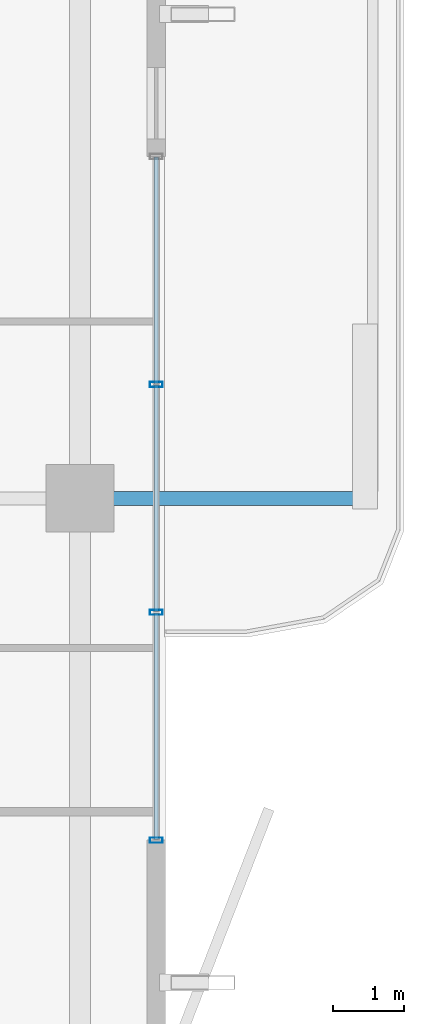
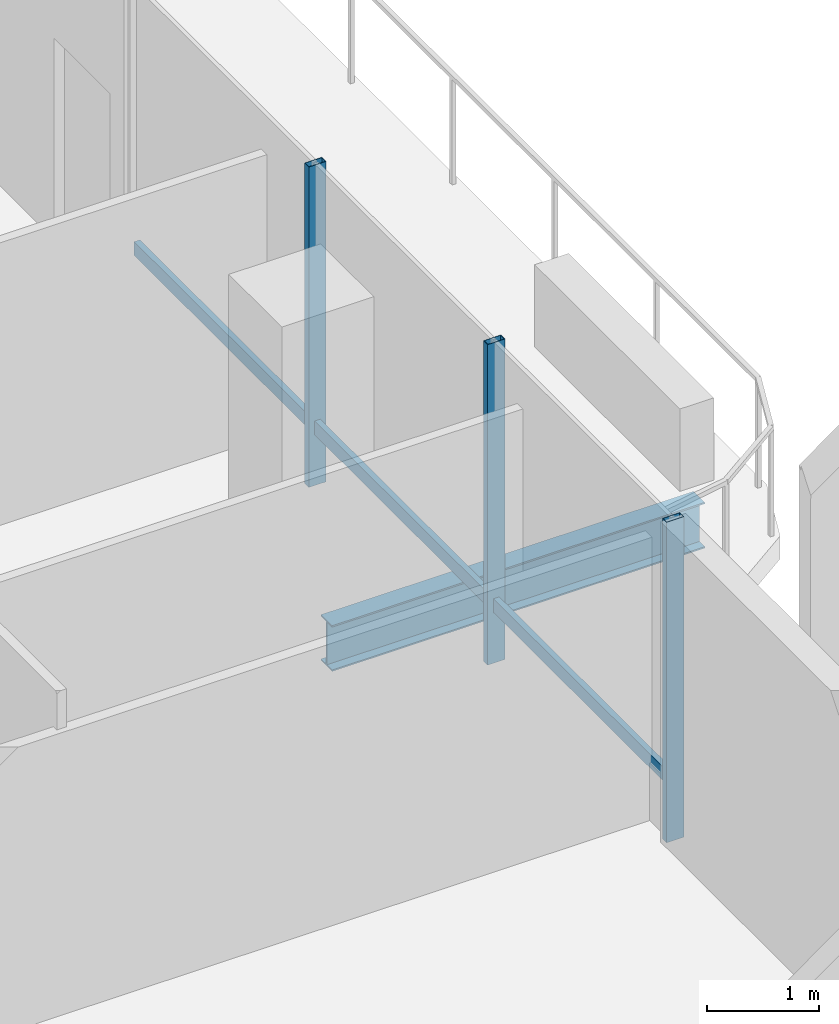
# One storey, part 10 of 25: 6 members, 1 beam, 1 element without a shape of its own.
"""IFC4 building model written with IfcOpenShell, lengths in metres."""

from ifc_helpers import new_model, si_unit, direction, frame, origin, origin_2d, place, context, subcontext, project, spatial, hollow_rectangle, i_section, extrude, material, layer, layer_set, material_profile, profile_set, type_object, element, aggregate, save


model = new_model("IFC4")

# Units and contexts
model_context = context("Model", 3, precision=1e-05, world=origin(), true_north=direction((0.0, 1.0)))
body_context = subcontext(model_context, "Body", "Model", "MODEL_VIEW")
ifc_project = project(units=[si_unit("LENGTHUNIT", "METRE"), si_unit("AREAUNIT", "SQUARE_METRE"), si_unit("VOLUMEUNIT", "CUBIC_METRE"), si_unit("PLANEANGLEUNIT", "RADIAN"), si_unit("MASSUNIT", "GRAM", prefix="KILO")], contexts=[model_context])

# Site, building, storey
site_placement = place(None, origin())
site = spatial("IfcSite", under=ifc_project, at=site_placement, CompositionType="ELEMENT")
building_placement = place(site_placement, origin())
building = spatial("IfcBuilding", under=site, at=building_placement, Name="Belovzor Exchange Tower", CompositionType="ELEMENT")
storey_placement = place(building_placement, frame((0.0, 0.0, 250.35009765625)))
storey = spatial("IfcBuildingStorey", under=building, at=storey_placement, Name="L62", CompositionType="ELEMENT", Elevation=250.35009765625)

# Beam
ifc_material_1 = material(Name="Steel S355", Category="steel")
ifc_material_profile_1 = material_profile(ifc_material_1, i_section(OverallWidth=0.199951171875, OverallDepth=0.5, WebThickness=0.01025390625, FlangeThickness=0.01611328125, at=origin_2d()))
ifc_profile_set_1 = profile_set([ifc_material_profile_1], Name="Steel S355")
beam_type = type_object("IfcBeamType", Name="Planted Balcony Cantilever Beam IPE 500", PredefinedType="BEAM", material=ifc_profile_set_1)
beam_placement = place(storey_placement, frame((52.760986328125, 28.800048828125, -0.5), z_axis=(1.0, 0.0, 0.0), x_axis=(0.0, 1.0, 0.0)))
element("IfcBeam", 1, at=beam_placement, inside=storey, type_object=beam_type, Name="BC-500 Planted Balcony Cantilever Beam IPE 500", PredefinedType="BEAM", context=body_context, shape_type="SweptSolid", body=[
    extrude(i_section(OverallWidth=0.199951171875, OverallDepth=0.5, WebThickness=0.01025390625, FlangeThickness=0.01611328125, at=origin_2d()), origin(), (0.0, 0.0, 1.0), 3.85009765625),
])

# Curtain wall, members
ifc_material_2 = material(Name="Anodised Aluminium Framing", Category="aluminium")
ifc_layer = layer(ifc_material_2, 0.179931640625)
ifc_layer_set = layer_set([ifc_layer], Name="Anodised Aluminium Framing")
curtain_wall_type = type_object("IfcCurtainWallType", Name="Recessed Loggia Low-Iron Triple-Glazed Curtain Wall", PredefinedType="NOTDEFINED", material=ifc_layer_set)
curtain_wall_placement = place(storey_placement, origin())
curtain_wall = element("IfcCurtainWall", 2, at=curtain_wall_placement, inside=storey, type_object=curtain_wall_type, Name="CW3 Recessed Loggia Low-Iron Triple-Glazed Curtain Wall L62", PredefinedType="NOTDEFINED")
ifc_material_3 = material(Name="Steel S355", Category="steel")
ifc_material_profile_2 = material_profile(ifc_material_3, hollow_rectangle(XDim=0.074951171875, YDim=0.179931640625, WallThickness=0.0048828125, at=origin_2d()))
ifc_profile_set_2 = profile_set([ifc_material_profile_2], Name="Steel S355")
member_type_1 = type_object("IfcMemberType", Name="Thermally Broken Curtain Wall Mullion 180x75", PredefinedType="MULLION", material=ifc_profile_set_2)
member_1_placement = place(storey_placement, frame((53.570068359375, 30.39990234375, 0.0), z_axis=(0.0, 0.0, 1.0), x_axis=(0.0, -1.0, 0.0)))
member_1 = element("IfcMember", 3, at=member_1_placement, type_object=member_type_1, Name="CW-M180 Curtain Wall Mullion 2", PredefinedType="MULLION", context=body_context, shape_type="SweptSolid", body=[
    extrude(hollow_rectangle(XDim=0.074951171875, YDim=0.179931640625, WallThickness=0.0048828125, at=origin_2d()), origin(), (0.0, 0.0, 1.0), 3.5),
])
member_2_placement = place(storey_placement, frame((53.570068359375, 27.199951171875, 0.0), z_axis=(0.0, 0.0, 1.0), x_axis=(0.0, -1.0, 0.0)))
member_2 = element("IfcMember", 4, at=member_2_placement, type_object=member_type_1, Name="CW-M180 Curtain Wall Mullion 3", PredefinedType="MULLION", context=body_context, shape_type="SweptSolid", body=[
    extrude(hollow_rectangle(XDim=0.074951171875, YDim=0.179931640625, WallThickness=0.0048828125, at=origin_2d()), origin(), (0.0, 0.0, 1.0), 3.5),
])
member_3_placement = place(storey_placement, frame((53.570068359375, 24.0, 0.0), z_axis=(0.0, 0.0, 1.0), x_axis=(0.0, -1.0, 0.0)))
member_3 = element("IfcMember", 5, at=member_3_placement, type_object=member_type_1, Name="CW-M180 Curtain Wall Mullion 4", PredefinedType="MULLION", context=body_context, shape_type="SweptSolid", body=[
    extrude(hollow_rectangle(XDim=0.074951171875, YDim=0.179931640625, WallThickness=0.0048828125, at=origin_2d()), origin(), (0.0, 0.0, 1.0), 3.5),
])
ifc_material_4 = material(Name="Steel S355", Category="steel")
ifc_material_profile_3 = material_profile(ifc_material_4, hollow_rectangle(XDim=0.06005859375, YDim=0.14990234375, WallThickness=0.00390625, at=origin_2d()))
ifc_profile_set_3 = profile_set([ifc_material_profile_3], Name="Steel S355")
member_type_2 = type_object("IfcMemberType", Name="Thermally Broken Curtain Wall Transom 150x60", PredefinedType="USERDEFINED", material=ifc_profile_set_3)
member_4_placement = place(storey_placement, frame((53.570068359375, 33.592041015625, 0.6298828125), z_axis=(0.0, -1.0, 0.0), x_axis=(1.0, 0.0, 0.0)))
member_4 = element("IfcMember", 6, at=member_4_placement, type_object=member_type_2, Name="CW-T150 Curtain Wall Transom 1", ObjectType="TRANSOM", PredefinedType="USERDEFINED", context=body_context, shape_type="SweptSolid", body=[
    extrude(hollow_rectangle(XDim=0.06005859375, YDim=0.14990234375, WallThickness=0.00390625, at=origin_2d()), origin(), (0.0, 0.0, 1.0), 3.18408203125),
])
member_5_placement = place(storey_placement, frame((53.570068359375, 30.39208984375, 0.6298828125), z_axis=(0.0, -1.0, 0.0), x_axis=(1.0, 0.0, 0.0)))
member_5 = element("IfcMember", 7, at=member_5_placement, type_object=member_type_2, Name="CW-T150 Curtain Wall Transom 2", ObjectType="TRANSOM", PredefinedType="USERDEFINED", context=body_context, shape_type="SweptSolid", body=[
    extrude(hollow_rectangle(XDim=0.06005859375, YDim=0.14990234375, WallThickness=0.00390625, at=origin_2d()), origin(), (0.0, 0.0, 1.0), 3.18408203125),
])
member_6_placement = place(storey_placement, frame((53.570068359375, 27.19189453125, 0.6298828125), z_axis=(0.0, -1.0, 0.0), x_axis=(1.0, 0.0, 0.0)))
member_6 = element("IfcMember", 8, at=member_6_placement, type_object=member_type_2, Name="CW-T150 Curtain Wall Transom 3", ObjectType="TRANSOM", PredefinedType="USERDEFINED", context=body_context, shape_type="SweptSolid", body=[
    extrude(hollow_rectangle(XDim=0.06005859375, YDim=0.14990234375, WallThickness=0.00390625, at=origin_2d()), origin(), (0.0, 0.0, 1.0), 3.183837890625),
])
aggregate(curtain_wall, [member_1, member_2, member_3, member_4, member_5, member_6])

save(model, "model.ifc")
